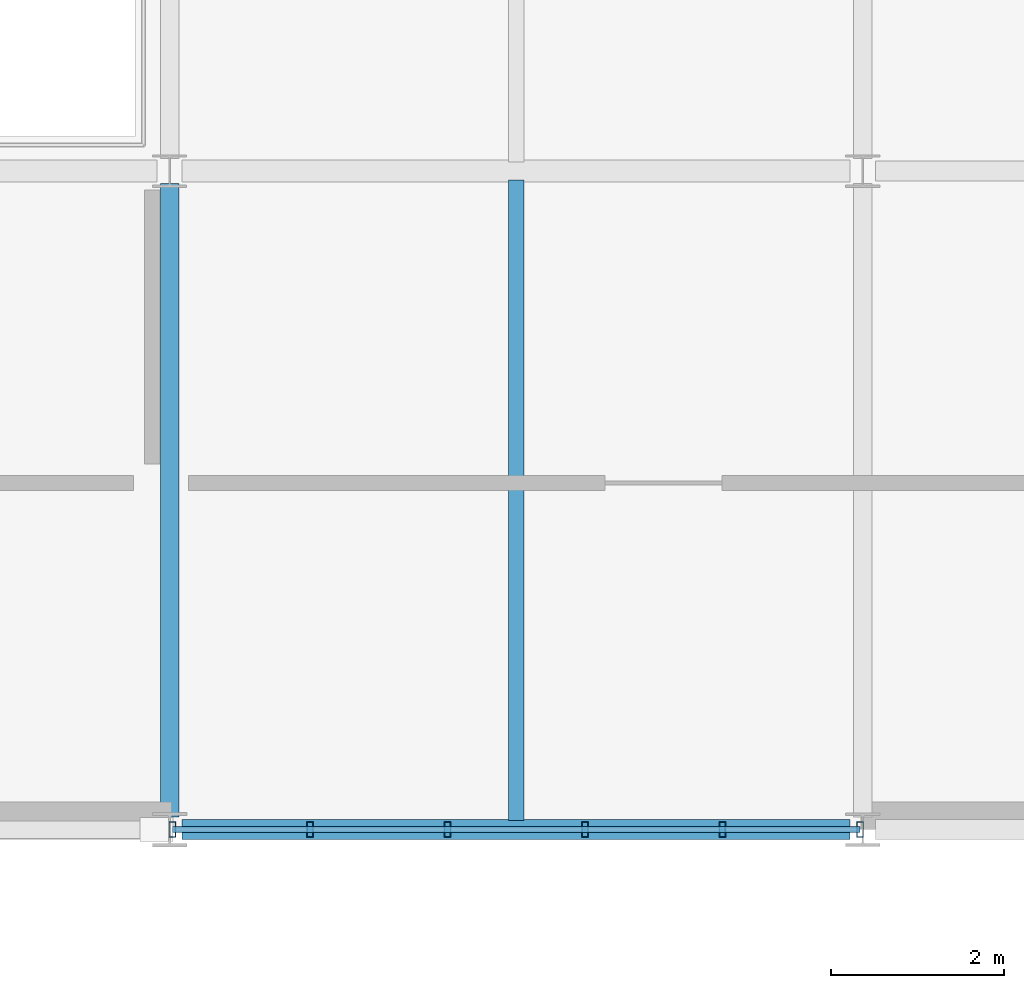
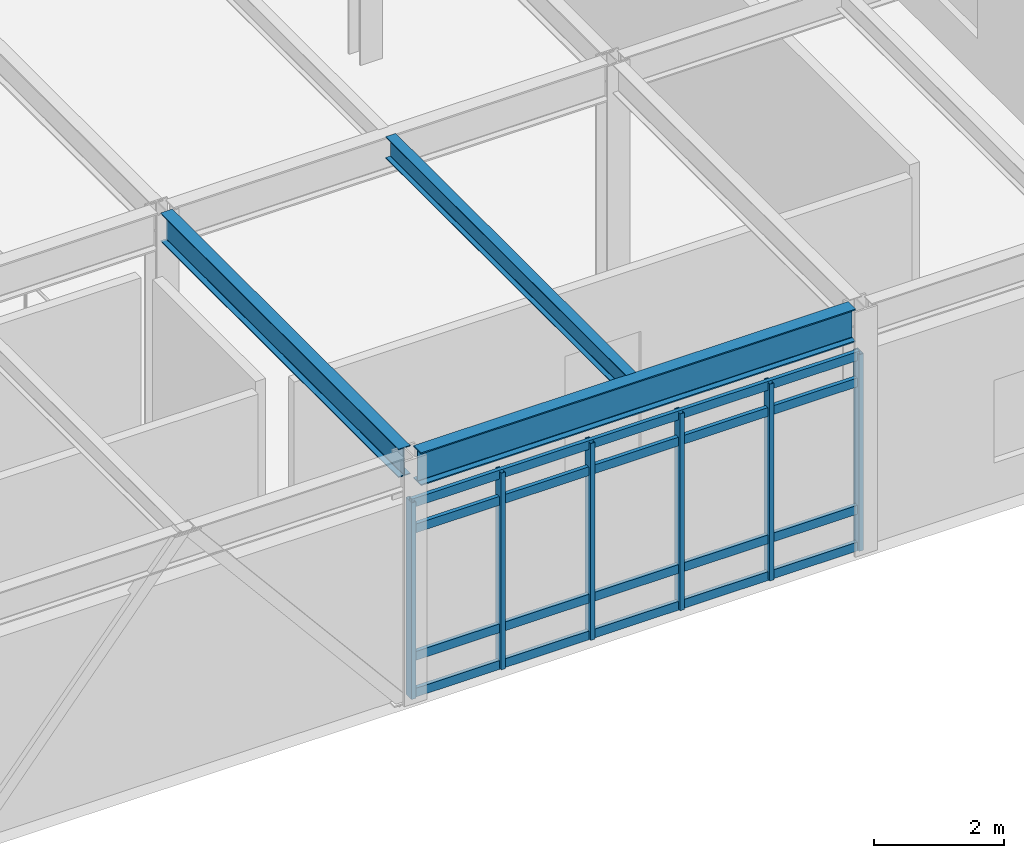
# One storey, part 60 of 104: 10 members, 3 beams, 1 element without a shape of its own.
"""IFC4 building model written with IfcOpenShell, lengths in metres."""

import ifcopenshell
import ifcopenshell.guid

model = None  # the IFC model being written
_history = None  # IfcOwnerHistory: only IFC2X3 demands one
_inside = {}  # id of a spatial element -> (the spatial element, [elements in it])
_under = {}  # id of a project, library or spatial element -> (it, [spatial elements below it])
_declared = {}  # id of a project -> (the project, [libraries it declares])
_typed = {}  # id of a type object -> (the type object, [elements of that type])
_made_of = {}  # id of a material, layer set ... -> (it, [elements and type objects made of it])


def new_model(schema):
    """Start an empty IFC model of exactly this schema.

    Asked for "IFC4X3", IfcOpenShell would pick the latest addendum, in which some entities
    have other attributes; the version numbers below select the first issue.
    IFC2X3 requires an IfcOwnerHistory on every rooted entity: one is made here for all.
    """
    global model, _history
    if schema == "IFC4X3":
        model = ifcopenshell.file(schema_version=(4, 3, 0, 0))
    else:
        model = ifcopenshell.file(schema=schema)
    _inside.clear()
    _under.clear()
    _declared.clear()
    _typed.clear()
    _made_of.clear()
    _history = None
    if model.schema == "IFC2X3":
        org = make("IfcOrganization", Name="unknown")
        user = make(
            "IfcPersonAndOrganization",
            ThePerson=make("IfcPerson", FamilyName="unknown"),
            TheOrganization=org,
        )
        app = make(
            "IfcApplication",
            ApplicationDeveloper=org,
            Version="unknown",
            ApplicationFullName="unknown",
            ApplicationIdentifier="unknown",
        )
        _history = make(
            "IfcOwnerHistory",
            OwningUser=user,
            OwningApplication=app,
            ChangeAction="ADDED",
            CreationDate=0,
        )
    return model


def make(cls, **values):
    """One entity of the class cls with the attributes given. An attribute that is None is left unset."""
    return model.create_entity(
        cls, **{name: value for name, value in values.items() if value is not None}
    )


def rooted(cls, **values):
    """An entity with a GlobalId (a new one), such as an element, a storey or a relation."""
    return make(cls, GlobalId=ifcopenshell.guid.new(), OwnerHistory=_history, **values)


def si_unit(unit_type, name, prefix=None):
    """IfcSIUnit, for example si_unit("LENGTHUNIT", "METRE", prefix="MILLI")."""
    return make("IfcSIUnit", UnitType=unit_type, Prefix=prefix, Name=name)


def assignment(units):
    """IfcUnitAssignment: the units of a project."""
    return None if units is None else make("IfcUnitAssignment", Units=units)


def point(xyz):
    """IfcCartesianPoint."""
    return None if xyz is None else make("IfcCartesianPoint", Coordinates=xyz)


def direction(xyz):
    """IfcDirection."""
    return None if xyz is None else make("IfcDirection", DirectionRatios=xyz)


def frame(location, z_axis=None, x_axis=None):
    """IfcAxis2Placement3D, a coordinate frame: its origin and axes. An axis left out is left unset."""
    return make(
        "IfcAxis2Placement3D",
        Location=point(location),
        Axis=direction(z_axis),
        RefDirection=direction(x_axis),
    )


def frame_2d(location, x_axis=None):
    """IfcAxis2Placement2D, a coordinate frame in the plane: its origin and x axis."""
    return make(
        "IfcAxis2Placement2D", Location=point(location), RefDirection=direction(x_axis)
    )


def origin():
    """The frame at (0, 0, 0) with its axes left unset."""
    return frame((0.0, 0.0, 0.0))


def origin_2d():
    """The frame at (0, 0) in the plane with its x axis left unset."""
    return frame_2d((0.0, 0.0))


def place(relative_to, where):
    """IfcLocalPlacement: puts the frame where relative to a parent placement (None: the world)."""
    return make(
        "IfcLocalPlacement", PlacementRelTo=relative_to, RelativePlacement=where
    )


def context(
    kind, dimensions, precision=None, world=None, true_north=None, identifier=None
):
    """IfcGeometricRepresentationContext, for example the 3D "Model" context."""
    return make(
        "IfcGeometricRepresentationContext",
        ContextIdentifier=identifier,
        ContextType=kind,
        CoordinateSpaceDimension=dimensions,
        Precision=precision,
        WorldCoordinateSystem=world,
        TrueNorth=true_north,
    )


def subcontext(parent, identifier, kind, view, scale=None):
    """IfcGeometricRepresentationSubContext, for example "Body" below "Model"."""
    return make(
        "IfcGeometricRepresentationSubContext",
        ContextIdentifier=identifier,
        ContextType=kind,
        ParentContext=parent,
        TargetScale=scale,
        TargetView=view,
    )


def project(units=None, contexts=None):
    """IfcProject with its units and contexts."""
    return rooted(
        "IfcProject",
        Name="project",
        RepresentationContexts=contexts,
        UnitsInContext=assignment(units),
    )


def spatial(cls, under=None, at=None, **own):
    """A site, building, storey or space (cls), placed at a placement, below another one or the project."""
    s = rooted(cls, ObjectPlacement=at, **own)
    if under is not None:
        _under.setdefault(under.id(), (under, []))[1].append(s)
    return s


def profile(cls, at=None, kind="AREA", **sizes):
    """A parametric profile (cls). Its sizes go by their IFC names, for example OverallWidth=200.0."""
    return make(cls, ProfileType=kind, Position=at, **sizes)


def hollow_rectangle(**sizes):
    """IfcRectangleHollowProfileDef."""
    return profile("IfcRectangleHollowProfileDef", **sizes)


def i_section(**sizes):
    """IfcIShapeProfileDef."""
    return profile("IfcIShapeProfileDef", **sizes)


def extrude(swept, where, along, depth):
    """IfcExtrudedAreaSolid: the profile swept, set in the frame where, extruded along a direction by depth."""
    return make(
        "IfcExtrudedAreaSolid",
        SweptArea=swept,
        Position=where,
        ExtrudedDirection=direction(along),
        Depth=depth,
    )


def shape(context_of_items, identifier, shape_type, items):
    """IfcShapeRepresentation: the items that make up one representation, for example the "Body"."""
    return make(
        "IfcShapeRepresentation",
        ContextOfItems=context_of_items,
        RepresentationIdentifier=identifier,
        RepresentationType=shape_type,
        Items=items,
    )


def material(Name=None, Category=None):
    """IfcMaterial."""
    return make("IfcMaterial", Name=Name, Category=Category)


def material_profile(
    of_material, cross_section, Name=None, Category=None, Priority=None
):
    """IfcMaterialProfile: a cross section and its material."""
    return make(
        "IfcMaterialProfile",
        Name=Name,
        Material=of_material,
        Profile=cross_section,
        Priority=Priority,
        Category=Category,
    )


def profile_set(profiles, Name=None, composite=None):
    """IfcMaterialProfileSet."""
    return make(
        "IfcMaterialProfileSet",
        Name=Name,
        MaterialProfiles=profiles,
        CompositeProfile=composite,
    )


def made_of(thing, what):
    """Note that an element or type object is made of a material, layer set ...; save() writes the relation."""
    if what is not None:
        _made_of.setdefault(what.id(), (what, []))[1].append(thing)
    return thing


def type_object(cls, material=None, **own):
    """A type object (cls), such as IfcWallType, which elements share."""
    return made_of(rooted(cls, **own), material)


def element(
    cls,
    number,
    at=None,
    inside=None,
    cuts=None,
    type_object=None,
    material=None,
    context=None,
    identifier="Body",
    shape_type=None,
    held_by="IfcProductDefinitionShape",
    body=None,
    shapes=None,
    **own,
):
    """One element of the class cls, such as IfcWall. Its Tag is "e" and its number.

    at: its placement. inside: the storey or other place that contains it. cuts: it is an
    opening in that element (IfcRelVoidsElement). A single representation is given by context,
    identifier, shape_type and body (its items); several are given by shapes. held_by: the class
    of the entity that holds the representations. save() writes the other relations.
    """
    e = rooted(cls, Tag="e%d" % number, ObjectPlacement=at, **own)
    if body is not None:
        shapes = [shape(context, identifier, shape_type, body)]
    if shapes is not None:
        e.Representation = make(held_by, Representations=shapes)
    if inside is not None:
        _inside.setdefault(inside.id(), (inside, []))[1].append(e)
    if cuts is not None:
        rooted(
            "IfcRelVoidsElement", RelatingBuildingElement=cuts, RelatedOpeningElement=e
        )
    if type_object is not None:
        _typed.setdefault(type_object.id(), (type_object, []))[1].append(e)
    return made_of(e, material)


def aggregate(whole, parts):
    """IfcRelAggregates: a whole, such as a stair, and the parts it consists of."""
    return rooted("IfcRelAggregates", RelatingObject=whole, RelatedObjects=parts)


def save(model, path):
    """Write the relations noted so far, then the file.

    IfcRelAggregates (storeys below a building ...), IfcRelContainedInSpatialStructure (elements
    in a storey), IfcRelDefinesByType, IfcRelAssociatesMaterial and IfcRelDeclares: one each for
    every whole, place, type object, material and project.
    """
    for whole, parts in _under.values():
        aggregate(whole, parts)
    for where, things in _inside.values():
        rooted(
            "IfcRelContainedInSpatialStructure",
            RelatedElements=things,
            RelatingStructure=where,
        )
    for kind, things in _typed.values():
        rooted("IfcRelDefinesByType", RelatedObjects=things, RelatingType=kind)
    for what, things in _made_of.values():
        rooted("IfcRelAssociatesMaterial", RelatedObjects=things, RelatingMaterial=what)
    for by, libraries in _declared.values():
        rooted("IfcRelDeclares", RelatingContext=by, RelatedDefinitions=libraries)
    model.write(path)


model = new_model("IFC4")

# Units and contexts
model_context = context("Model", 3, precision=1e-05, world=origin(), true_north=direction((0.0, 1.0)))
body_context = subcontext(model_context, "Body", "Model", "MODEL_VIEW")
ifc_project = project(units=[si_unit("LENGTHUNIT", "METRE"), si_unit("AREAUNIT", "SQUARE_METRE"), si_unit("VOLUMEUNIT", "CUBIC_METRE"), si_unit("PLANEANGLEUNIT", "RADIAN"), si_unit("MASSUNIT", "GRAM", prefix="KILO")], contexts=[model_context])

# Site, building, storey
site_placement = place(None, origin())
site = spatial("IfcSite", under=ifc_project, at=site_placement, CompositionType="ELEMENT")
building_placement = place(site_placement, origin())
building = spatial("IfcBuilding", under=site, at=building_placement, Name="Zulena Civic Courthouse", CompositionType="ELEMENT")
storey_placement = place(building_placement, frame((0.0, 0.0, 10.800048828125)))
storey = spatial("IfcBuildingStorey", under=building, at=storey_placement, Name="L02", CompositionType="ELEMENT", Elevation=10.800048828125)

# Curtain wall, members
ifc_material_1 = material(Name="Double-silver low-E laminated solar-control glass", Category="glass")
curtain_wall_type = type_object("IfcCurtainWallType", Name="CW_7940x3690", PredefinedType="USERDEFINED", material=ifc_material_1)
curtain_wall_placement = place(storey_placement, origin())
curtain_wall = element("IfcCurtainWall", 1, at=curtain_wall_placement, inside=storey, type_object=curtain_wall_type, Name="cw:V1:L02:3:1", ObjectType="UNITISED CURTAIN WALL", PredefinedType="USERDEFINED")
ifc_material_2 = material(Name="Bronze anodised thermally broken aluminium AA6063-T6", Category="aluminium")
ifc_material_profile_1 = material_profile(ifc_material_2, hollow_rectangle(XDim=0.074951171875, YDim=0.179931640625, WallThickness=0.0048828125, at=origin_2d()), Name="CWM180X75X5")
ifc_profile_set_1 = profile_set([ifc_material_profile_1], Name="Bronze anodised thermally broken aluminium AA6063-T6")
member_type_1 = type_object("IfcMemberType", Name="CWMullion_180x75", PredefinedType="MULLION", material=ifc_profile_set_1)
member_1_placement = place(storey_placement, frame((163.969970703125, 0.0, 0.0), z_axis=(0.0, 0.0, 1.0), x_axis=(1.0, 0.0, 0.0)))
member_1 = element("IfcMember", 2, at=member_1_placement, type_object=member_type_1, Name="cw:V1:L02:3:1:mull:0", PredefinedType="MULLION", context=body_context, shape_type="SweptSolid", body=[
    extrude(hollow_rectangle(XDim=0.074951171875, YDim=0.179931640625, WallThickness=0.0048828125, at=origin_2d()), origin(), (0.0, 0.0, 1.0), 3.68994140625),
])
member_2_placement = place(storey_placement, frame((162.382080078125, 0.0, 0.0), z_axis=(0.0, 0.0, 1.0), x_axis=(1.0, 0.0, 0.0)))
member_2 = element("IfcMember", 3, at=member_2_placement, type_object=member_type_1, Name="cw:V1:L02:3:1:mull:1", PredefinedType="MULLION", context=body_context, shape_type="SweptSolid", body=[
    extrude(hollow_rectangle(XDim=0.074951171875, YDim=0.179931640625, WallThickness=0.0048828125, at=origin_2d()), origin(), (0.0, 0.0, 1.0), 3.68994140625),
])
member_3_placement = place(storey_placement, frame((160.7939453125, 0.0, 0.0), z_axis=(0.0, 0.0, 1.0), x_axis=(1.0, 0.0, 0.0)))
member_3 = element("IfcMember", 4, at=member_3_placement, type_object=member_type_1, Name="cw:V1:L02:3:1:mull:2", PredefinedType="MULLION", context=body_context, shape_type="SweptSolid", body=[
    extrude(hollow_rectangle(XDim=0.074951171875, YDim=0.179931640625, WallThickness=0.0048828125, at=origin_2d()), origin(), (0.0, 0.0, 1.0), 3.68994140625),
])
member_4_placement = place(storey_placement, frame((159.2060546875, 0.0, 0.0), z_axis=(0.0, 0.0, 1.0), x_axis=(1.0, 0.0, 0.0)))
member_4 = element("IfcMember", 5, at=member_4_placement, type_object=member_type_1, Name="cw:V1:L02:3:1:mull:3", PredefinedType="MULLION", context=body_context, shape_type="SweptSolid", body=[
    extrude(hollow_rectangle(XDim=0.074951171875, YDim=0.179931640625, WallThickness=0.0048828125, at=origin_2d()), origin(), (0.0, 0.0, 1.0), 3.68994140625),
])
member_5_placement = place(storey_placement, frame((157.617919921875, 0.0, 0.0), z_axis=(0.0, 0.0, 1.0), x_axis=(1.0, 0.0, 0.0)))
member_5 = element("IfcMember", 6, at=member_5_placement, type_object=member_type_1, Name="cw:V1:L02:3:1:mull:4", PredefinedType="MULLION", context=body_context, shape_type="SweptSolid", body=[
    extrude(hollow_rectangle(XDim=0.074951171875, YDim=0.179931640625, WallThickness=0.0048828125, at=origin_2d()), origin(), (0.0, 0.0, 1.0), 3.68994140625),
])
member_6_placement = place(storey_placement, frame((156.030029296875, 0.0, 0.0), z_axis=(0.0, 0.0, 1.0), x_axis=(1.0, 0.0, 0.0)))
member_6 = element("IfcMember", 7, at=member_6_placement, type_object=member_type_1, Name="cw:V1:L02:3:1:mull:5", PredefinedType="MULLION", context=body_context, shape_type="SweptSolid", body=[
    extrude(hollow_rectangle(XDim=0.074951171875, YDim=0.179931640625, WallThickness=0.0048828125, at=origin_2d()), origin(), (0.0, 0.0, 1.0), 3.68994140625),
])
ifc_material_profile_2 = material_profile(ifc_material_2, hollow_rectangle(XDim=0.070068359375, YDim=0.1650390625, WallThickness=0.00390625, at=origin_2d()), Name="CWT165X70X4")
ifc_profile_set_2 = profile_set([ifc_material_profile_2], Name="Bronze anodised thermally broken aluminium AA6063-T6")
member_type_2 = type_object("IfcMemberType", Name="CWTransom_165x70", PredefinedType="USERDEFINED", material=ifc_profile_set_2)
member_7_placement = place(storey_placement, frame((163.969970703125, 0.0, 0.06005859375), z_axis=(-1.0, 0.0, 0.0), x_axis=(0.0, -1.0, 0.0)))
member_7 = element("IfcMember", 8, at=member_7_placement, type_object=member_type_2, Name="cw:V1:L02:3:1:tran:0", ObjectType="TRANSOM", PredefinedType="USERDEFINED", context=body_context, shape_type="SweptSolid", body=[
    extrude(hollow_rectangle(XDim=0.070068359375, YDim=0.1650390625, WallThickness=0.00390625, at=origin_2d()), origin(), (0.0, 0.0, 1.0), 7.93994140625),
])
member_8_placement = place(storey_placement, frame((163.969970703125, 0.0, 0.75), z_axis=(-1.0, 0.0, 0.0), x_axis=(0.0, -1.0, 0.0)))
member_8 = element("IfcMember", 9, at=member_8_placement, type_object=member_type_2, Name="cw:V1:L02:3:1:tran:1", ObjectType="TRANSOM", PredefinedType="USERDEFINED", context=body_context, shape_type="SweptSolid", body=[
    extrude(hollow_rectangle(XDim=0.070068359375, YDim=0.1650390625, WallThickness=0.00390625, at=origin_2d()), origin(), (0.0, 0.0, 1.0), 7.93994140625),
])
member_9_placement = place(storey_placement, frame((163.969970703125, 0.0, 3.139892578125), z_axis=(-1.0, 0.0, 0.0), x_axis=(0.0, -1.0, 0.0)))
member_9 = element("IfcMember", 10, at=member_9_placement, type_object=member_type_2, Name="cw:V1:L02:3:1:tran:2", ObjectType="TRANSOM", PredefinedType="USERDEFINED", context=body_context, shape_type="SweptSolid", body=[
    extrude(hollow_rectangle(XDim=0.070068359375, YDim=0.1650390625, WallThickness=0.00390625, at=origin_2d()), origin(), (0.0, 0.0, 1.0), 7.93994140625),
])
member_10_placement = place(storey_placement, frame((163.969970703125, 0.0, 3.6298828125), z_axis=(-1.0, 0.0, 0.0), x_axis=(0.0, -1.0, 0.0)))
member_10 = element("IfcMember", 11, at=member_10_placement, type_object=member_type_2, Name="cw:V1:L02:3:1:tran:3", ObjectType="TRANSOM", PredefinedType="USERDEFINED", context=body_context, shape_type="SweptSolid", body=[
    extrude(hollow_rectangle(XDim=0.070068359375, YDim=0.1650390625, WallThickness=0.00390625, at=origin_2d()), origin(), (0.0, 0.0, 1.0), 7.93994140625),
])
aggregate(curtain_wall, [member_1, member_2, member_3, member_4, member_5, member_6, member_7, member_8, member_9, member_10])

# Beams
ifc_material_3 = material(Name="Steel ASTM A992 Grade 50", Category="steel")
ifc_material_profile_3 = material_profile(ifc_material_3, i_section(OverallWidth=0.177978515625, OverallDepth=0.406005859375, WebThickness=0.0078125, FlangeThickness=0.0126953125, FilletRadius=0.01025390625, at=origin_2d()), Name="W16X40")
ifc_profile_set_3 = profile_set([ifc_material_profile_3], Name="Steel ASTM A992 Grade 50")
beam_type_1 = type_object("IfcBeamType", Name="Joist_W16X40", PredefinedType="JOIST", material=ifc_profile_set_3)
beam_1_placement = place(storey_placement, frame((160.0, 0.10498046875, 4.386962890625), z_axis=(0.0, 1.0, 0.0), x_axis=(-1.0, 0.0, 0.0)))
element("IfcBeam", 12, at=beam_1_placement, inside=storey, type_object=beam_type_1, Name="joist:V1:L02:160.00:0.0_7.6", PredefinedType="JOIST", context=body_context, shape_type="SweptSolid", body=[
    extrude(i_section(OverallWidth=0.177978515625, OverallDepth=0.406005859375, WebThickness=0.0078125, FlangeThickness=0.0126953125, FilletRadius=0.01025390625, at=origin_2d()), origin(), (0.0, 0.0, 1.0), 7.39013671875),
])
ifc_material_profile_4 = material_profile(ifc_material_3, i_section(OverallWidth=0.2099609375, OverallDepth=0.537109375, WebThickness=0.010986328125, FlangeThickness=0.017333984375, FilletRadius=0.0126953125, at=origin_2d()), Name="W21X68")
ifc_profile_set_4 = profile_set([ifc_material_profile_4], Name="Steel ASTM A992 Grade 50")
beam_type_2 = type_object("IfcBeamType", Name="Spandrel_W21X68", PredefinedType="SPANDREL", material=ifc_profile_set_4)
beam_2_placement = place(storey_placement, frame((156.0, 0.14501953125, 4.321533203125), z_axis=(0.0, 1.0, 0.0), x_axis=(-1.0, 0.0, 0.0)))
element("IfcBeam", 13, at=beam_2_placement, inside=storey, type_object=beam_type_2, Name="beam:Y:V1:L02:156.0:0.0_7.6", PredefinedType="SPANDREL", context=body_context, shape_type="SweptSolid", body=[
    extrude(i_section(OverallWidth=0.2099609375, OverallDepth=0.537109375, WebThickness=0.010986328125, FlangeThickness=0.017333984375, FilletRadius=0.0126953125, at=origin_2d()), origin(), (0.0, 0.0, 1.0), 7.31005859375),
])
ifc_material_profile_5 = material_profile(ifc_material_3, i_section(OverallWidth=0.22998046875, OverallDepth=0.616943359375, WebThickness=0.01318359375, FlangeThickness=0.022216796875, FilletRadius=0.0126953125, at=origin_2d()), Name="W24X94")
ifc_profile_set_5 = profile_set([ifc_material_profile_5], Name="Steel ASTM A992 Grade 50")
beam_type_3 = type_object("IfcBeamType", Name="Spandrel_W24X94", PredefinedType="SPANDREL", material=ifc_profile_set_5)
beam_3_placement = place(storey_placement, frame((156.14501953125, 0.0, 4.281494140625), z_axis=(1.0, 0.0, 0.0), x_axis=(0.0, 1.0, 0.0)))
element("IfcBeam", 14, at=beam_3_placement, inside=storey, type_object=beam_type_3, Name="beam:X:V1:L02:0.0:156.0_164.0", PredefinedType="SPANDREL", context=body_context, shape_type="SweptSolid", body=[
    extrude(i_section(OverallWidth=0.22998046875, OverallDepth=0.616943359375, WebThickness=0.01318359375, FlangeThickness=0.022216796875, FilletRadius=0.0126953125, at=origin_2d()), origin(), (0.0, 0.0, 1.0), 7.7099609375),
])

save(model, "model.ifc")
